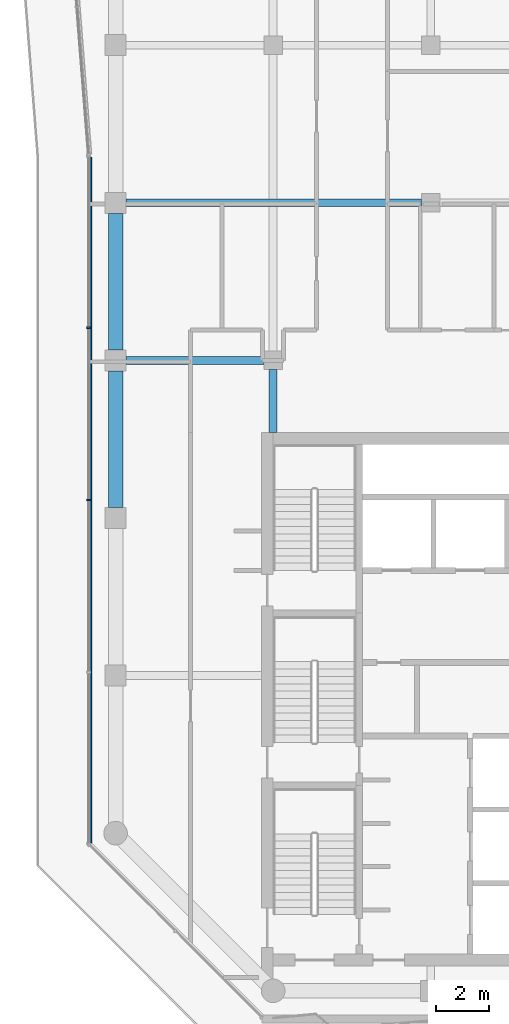
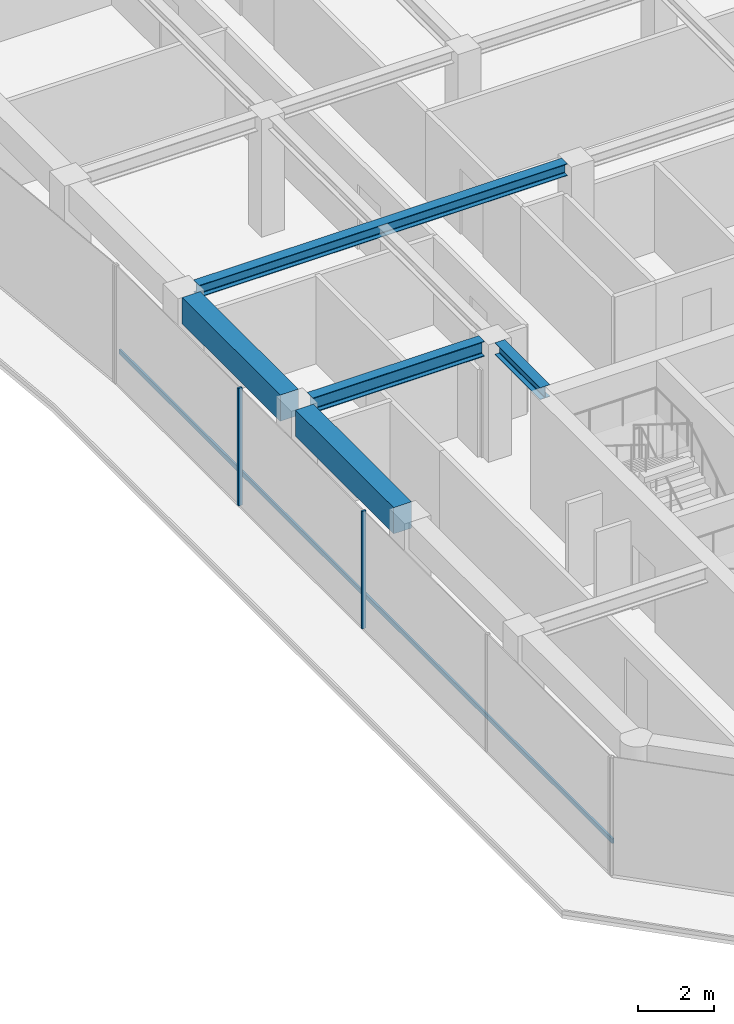
# One storey, part 4 of 23: 5 beams, 3 members, 1 element without a shape of its own.
"""IFC4 building model written with IfcOpenShell, lengths in metres."""

from ifc_helpers import new_model, si_unit, direction, frame, origin, origin_2d, place, context, subcontext, project, spatial, rectangle, i_section, extrude, material, layer, layer_set, material_profile, profile_set, type_object, element, aggregate, save


model = new_model("IFC4")

# Units and contexts
model_context = context("Model", 3, precision=1e-05, world=origin(), true_north=direction((0.0, 1.0)))
body_context = subcontext(model_context, "Body", "Model", "MODEL_VIEW")
ifc_project = project(units=[si_unit("LENGTHUNIT", "METRE"), si_unit("AREAUNIT", "SQUARE_METRE"), si_unit("VOLUMEUNIT", "CUBIC_METRE"), si_unit("PLANEANGLEUNIT", "RADIAN"), si_unit("MASSUNIT", "GRAM", prefix="KILO")], contexts=[model_context])

# Site, building, storey
site_placement = place(None, origin())
site = spatial("IfcSite", under=ifc_project, at=site_placement, CompositionType="ELEMENT")
building_placement = place(site_placement, origin())
building = spatial("IfcBuilding", under=site, at=building_placement, Name="Welwitschia Terrace Campus", CompositionType="ELEMENT")
storey_placement = place(building_placement, frame((0.0, 0.0, 209.60009765625)))
storey = spatial("IfcBuildingStorey", under=building, at=storey_placement, Name="L46", CompositionType="ELEMENT", Elevation=209.60009765625)

# Beams
ifc_material_1 = material(Name="Steel S355", Category="steel")
ifc_material_profile_1 = material_profile(ifc_material_1, i_section(OverallWidth=0.300048828125, OverallDepth=0.389892578125, WebThickness=0.010986328125, FlangeThickness=0.01904296875, FilletRadius=0.027099609375, at=origin_2d()))
ifc_profile_set_1 = profile_set([ifc_material_profile_1], Name="Steel S355")
beam_type_1 = type_object("IfcBeamType", Name="Interior girder HE 400 A", PredefinedType="BEAM", material=ifc_profile_set_1)
beam_1_placement = place(storey_placement, frame((0.390380859375, 34.0, 3.60498046875), z_axis=(1.0, 0.0, 0.0), x_axis=(0.0, 1.0, 0.0)))
element("IfcBeam", 1, at=beam_1_placement, inside=storey, type_object=beam_type_1, Name="Girder GB5", PredefinedType="BEAM", context=body_context, shape_type="SweptSolid", body=[
    extrude(i_section(OverallWidth=0.300048828125, OverallDepth=0.389892578125, WebThickness=0.010986328125, FlangeThickness=0.01904296875, FilletRadius=0.027099609375, at=origin_2d()), origin(), (0.0, 0.0, 1.0), 11.259033203125),
])
beam_2_placement = place(storey_placement, frame((6.0, 25.2509765625, 3.60498046875), z_axis=(0.0, 1.0, 0.0), x_axis=(-1.0, 0.0, 0.0)))
element("IfcBeam", 2, at=beam_2_placement, inside=storey, type_object=beam_type_1, Name="Girder GB5", PredefinedType="BEAM", context=body_context, shape_type="SweptSolid", body=[
    extrude(i_section(OverallWidth=0.300048828125, OverallDepth=0.389892578125, WebThickness=0.010986328125, FlangeThickness=0.01904296875, FilletRadius=0.027099609375, at=origin_2d()), origin(), (0.0, 0.0, 1.0), 2.3984375),
])

# Curtain wall, members
ifc_material_2 = material(Name="Bronze anodised aluminium", Category="aluminium")
ifc_layer = layer(ifc_material_2, 0.1201171875)
ifc_layer_set = layer_set([ifc_layer], Name="Bronze anodised aluminium")
curtain_wall_type = type_object("IfcCurtainWallType", Name="Curtain wall CW2 tower 6000", PredefinedType="NOTDEFINED", material=ifc_layer_set)
curtain_wall_placement = place(storey_placement, origin())
curtain_wall = element("IfcCurtainWall", 3, at=curtain_wall_placement, inside=storey, type_object=curtain_wall_type, Name="CW L46.0.0", PredefinedType="NOTDEFINED")
ifc_material_3 = material(Name="Bronze anodised aluminium", Category="aluminium")
ifc_material_profile_2 = material_profile(ifc_material_3, rectangle(XDim=0.1201171875, YDim=0.06005859375, at=origin_2d()))
ifc_profile_set_2 = profile_set([ifc_material_profile_2], Name="Bronze anodised aluminium")
member_type_1 = type_object("IfcMemberType", Name="Mullion 60x120", PredefinedType="MULLION", material=ifc_profile_set_2)
member_1_placement = place(storey_placement, frame((-1.030029296875, 29.242431640625, 0.0), z_axis=(0.0, 0.0, 1.0), x_axis=(1.0, 0.0, 0.0)))
member_1 = element("IfcMember", 4, at=member_1_placement, type_object=member_type_1, Name="Mullion L46.0.0.1", PredefinedType="MULLION", context=body_context, shape_type="SweptSolid", body=[
    extrude(rectangle(XDim=0.1201171875, YDim=0.06005859375, at=origin_2d()), origin(), (0.0, 0.0, 1.0), 3.7998046875),
])
member_2_placement = place(storey_placement, frame((-1.030029296875, 22.68603515625, 0.0), z_axis=(0.0, 0.0, 1.0), x_axis=(1.0, 0.0, 0.0)))
member_2 = element("IfcMember", 5, at=member_2_placement, type_object=member_type_1, Name="Mullion L46.0.0.2", PredefinedType="MULLION", context=body_context, shape_type="SweptSolid", body=[
    extrude(rectangle(XDim=0.1201171875, YDim=0.06005859375, at=origin_2d()), origin(), (0.0, 0.0, 1.0), 3.7998046875),
])

# Beams
ifc_material_4 = material(Name="Steel S355", Category="steel")
ifc_material_profile_3 = material_profile(ifc_material_4, i_section(OverallWidth=0.300048828125, OverallDepth=0.489990234375, WebThickness=0.011962890625, FlangeThickness=0.02294921875, FilletRadius=0.027099609375, at=origin_2d()))
ifc_profile_set_3 = profile_set([ifc_material_profile_3], Name="Steel S355")
beam_type_2 = type_object("IfcBeamType", Name="Primary beam HE 500 A", PredefinedType="BEAM", material=ifc_profile_set_3)
beam_3_placement = place(storey_placement, frame((0.400390625, 28.0, 3.554931640625), z_axis=(1.0, 0.0, 0.0), x_axis=(0.0, 1.0, 0.0)))
element("IfcBeam", 6, at=beam_3_placement, inside=storey, type_object=beam_type_2, Name="Primary beam PB5", PredefinedType="BEAM", context=body_context, shape_type="SweptSolid", body=[
    extrude(i_section(OverallWidth=0.300048828125, OverallDepth=0.489990234375, WebThickness=0.011962890625, FlangeThickness=0.02294921875, FilletRadius=0.027099609375, at=origin_2d()), origin(), (0.0, 0.0, 1.0), 5.2490234375),
])
ifc_material_5 = material(Name="Concrete C50/60", Category="concrete")
ifc_material_profile_4 = material_profile(ifc_material_5, rectangle(XDim=0.550048828125, YDim=0.85009765625, at=origin_2d()))
ifc_profile_set_4 = profile_set([ifc_material_profile_4], Name="Concrete C50/60")
beam_type_3 = type_object("IfcBeamType", Name="Ring spandrel 550x850", PredefinedType="SPANDREL", material=ifc_profile_set_4)
for number, where, z_axis, x_axis, name in (
    (7, (0.0, 33.599609375, 3.375), (0.0, -1.0, 0.0), (1.0, 0.0, 0.0), "Spandrel SP3"),
    (8, (0.0, 27.599609375, 3.375), (0.0, -1.0, 0.0), (1.0, 0.0, 0.0), "Spandrel SP3"),
):
    element("IfcBeam", number, at=place(storey_placement, frame(where, z_axis=z_axis, x_axis=x_axis)), inside=storey, type_object=beam_type_3, Name=name, PredefinedType="SPANDREL", context=body_context, shape_type="SweptSolid", body=[
        extrude(rectangle(XDim=0.550048828125, YDim=0.85009765625, at=origin_2d()), origin(), (0.0, 0.0, 1.0), 5.19921875),
    ])

# Member
ifc_material_6 = material(Name="Bronze anodised aluminium", Category="aluminium")
ifc_material_profile_5 = material_profile(ifc_material_6, rectangle(XDim=0.06005859375, YDim=0.14990234375, at=origin_2d()))
ifc_profile_set_5 = profile_set([ifc_material_profile_5], Name="Bronze anodised aluminium")
member_type_2 = type_object("IfcMemberType", Name="Transom 60x150", PredefinedType="USERDEFINED", material=ifc_profile_set_5)
member_3_placement = place(storey_placement, frame((-0.93994140625, 35.738525390625, 1.0), z_axis=(0.0, -1.0, 0.0), x_axis=(1.0, 0.0, 0.0)))
member_3 = element("IfcMember", 9, at=member_3_placement, type_object=member_type_2, Name="Transom L46.0.0", ObjectType="TRANSOM", PredefinedType="USERDEFINED", context=body_context, shape_type="SweptSolid", body=[
    extrude(rectangle(XDim=0.06005859375, YDim=0.14990234375, at=origin_2d()), origin(), (0.0, 0.0, 1.0), 26.105224609375),
])

aggregate(curtain_wall, [member_1, member_2, member_3])

save(model, "model.ifc")
